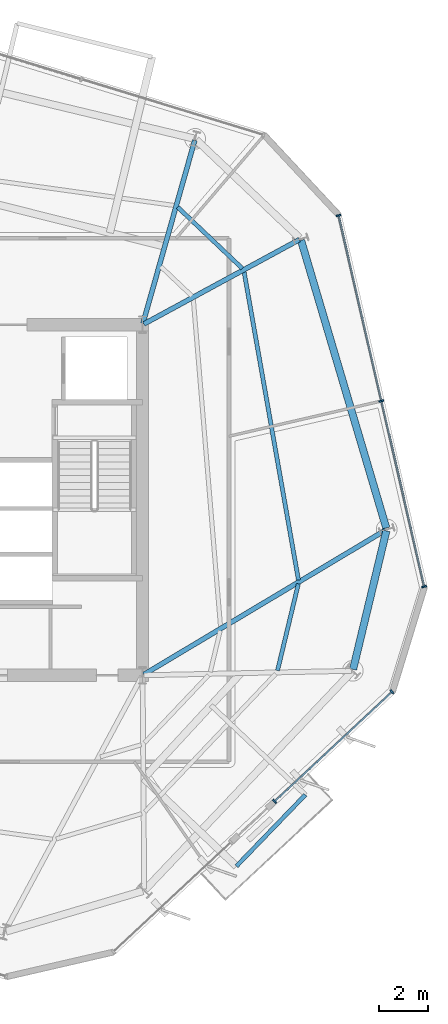
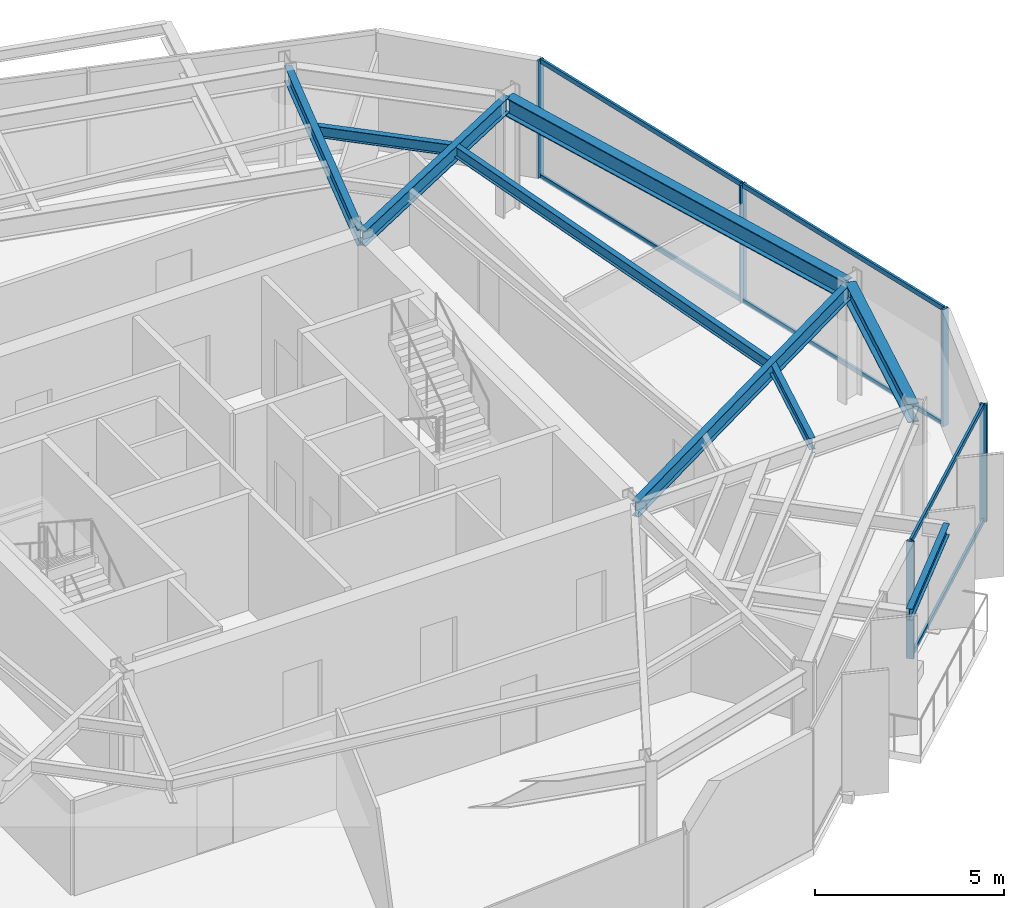
# One storey, part 4 of 11: 11 members, 9 beams, 2 elements without a shape of their own.
"""IFC4 building model written with IfcOpenShell, lengths in metres."""

from ifc_helpers import new_model, si_unit, direction, frame, origin, origin_2d, place, context, subcontext, project, spatial, rectangle, i_section, extrude, material, layer, layer_set, material_profile, profile_set, type_object, element, aggregate, save


model = new_model("IFC4")

# Units and contexts
model_context = context("Model", 3, precision=1e-05, world=origin(), true_north=direction((0.0, 1.0)))
body_context = subcontext(model_context, "Body", "Model", "MODEL_VIEW")
ifc_project = project(units=[si_unit("LENGTHUNIT", "METRE"), si_unit("AREAUNIT", "SQUARE_METRE"), si_unit("VOLUMEUNIT", "CUBIC_METRE"), si_unit("PLANEANGLEUNIT", "RADIAN"), si_unit("MASSUNIT", "GRAM", prefix="KILO")], contexts=[model_context])

# Site, building, storey
site_placement = place(None, origin())
site = spatial("IfcSite", under=ifc_project, at=site_placement, CompositionType="ELEMENT")
building_placement = place(site_placement, origin())
building = spatial("IfcBuilding", under=site, at=building_placement, Name="Kranzbogen Civic Tower", CompositionType="ELEMENT")
storey_placement = place(building_placement, frame((0.0, 0.0, 196.800048828125)))
storey = spatial("IfcBuildingStorey", under=building, at=storey_placement, Name="L47", CompositionType="ELEMENT", Elevation=196.800048828125)

# Curtain wall, members
ifc_material_1 = material(Name="Pale Anodised Aluminium", Category="aluminium")
ifc_layer = layer(ifc_material_1, 0.219970703125, Name="Pale Anodised Aluminium")
ifc_layer_set = layer_set([ifc_layer], Name="Pale Anodised Aluminium")
curtain_wall_type = type_object("IfcCurtainWallType", Name="Zone 3 Stick Curtain Wall System CW-04", PredefinedType="USERDEFINED", material=ifc_layer_set)
curtain_wall_1_placement = place(storey_placement, origin())
curtain_wall_1 = element("IfcCurtainWall", 1, at=curtain_wall_1_placement, inside=storey, type_object=curtain_wall_type, Name="L47 curtain wall CW-L47-F5-S2", ObjectType="STICK CURTAIN WALL", PredefinedType="USERDEFINED")
ifc_material_profile_1 = material_profile(ifc_material_1, rectangle(XDim=0.070068359375, YDim=0.199951171875, at=origin_2d()), Name="ALU-M 70x200")
ifc_profile_set_1 = profile_set([ifc_material_profile_1], Name="Pale Anodised Aluminium")
member_type_1 = type_object("IfcMemberType", Name="Curtain Wall Mullion ALU-M 70x200", PredefinedType="MULLION", material=ifc_profile_set_1)
member_1_placement = place(storey_placement, frame((38.223876953125, 12.62158203125, 0.0), z_axis=(0.0, 0.0, 1.0), x_axis=(0.731320043642, 0.682034452039, 0.0)))
member_1 = element("IfcMember", 2, at=member_1_placement, type_object=member_type_1, Name="CW-04 mullion 1", PredefinedType="MULLION", context=body_context, shape_type="SweptSolid", body=[
    extrude(rectangle(XDim=0.070068359375, YDim=0.199951171875, at=origin_2d()), origin(), (0.0, 0.0, 1.0), 3.780029296875),
])
member_2_placement = place(storey_placement, frame((43.047119140625, 17.11962890625, 0.0), z_axis=(0.0, 0.0, 1.0), x_axis=(0.731320043642, 0.682034452039, 0.0)))
member_2 = element("IfcMember", 3, at=member_2_placement, type_object=member_type_1, Name="CW-04 mullion 2", PredefinedType="MULLION", context=body_context, shape_type="SweptSolid", body=[
    extrude(rectangle(XDim=0.070068359375, YDim=0.199951171875, at=origin_2d()), origin(), (0.0, 0.0, 1.0), 3.780029296875),
])

curtain_wall_2_placement = place(storey_placement, origin())
curtain_wall_2 = element("IfcCurtainWall", 4, at=curtain_wall_2_placement, inside=storey, type_object=curtain_wall_type, Name="L47 curtain wall CW-L47-F6", ObjectType="STICK CURTAIN WALL", PredefinedType="USERDEFINED")
member_3_placement = place(storey_placement, frame((44.3681640625, 21.441162109375, 0.0), z_axis=(0.0, 0.0, 1.0), x_axis=(-0.224971087375, 0.974365439579, 0.0)))
member_3 = element("IfcMember", 5, at=member_3_placement, type_object=member_type_1, Name="CW-04 mullion 1", PredefinedType="MULLION", context=body_context, shape_type="SweptSolid", body=[
    extrude(rectangle(XDim=0.070068359375, YDim=0.199951171875, at=origin_2d()), origin(), (0.0, 0.0, 1.0), 3.780029296875),
])
member_4_placement = place(storey_placement, frame((42.60791015625, 29.06494140625, 0.0), z_axis=(0.0, 0.0, 1.0), x_axis=(-0.224971087375, 0.974365439579, 0.0)))
member_4 = element("IfcMember", 6, at=member_4_placement, type_object=member_type_1, Name="CW-04 mullion 2", PredefinedType="MULLION", context=body_context, shape_type="SweptSolid", body=[
    extrude(rectangle(XDim=0.070068359375, YDim=0.199951171875, at=origin_2d()), origin(), (0.0, 0.0, 1.0), 3.780029296875),
])
member_5_placement = place(storey_placement, frame((40.84765625, 36.688720703125, 0.0), z_axis=(0.0, 0.0, 1.0), x_axis=(-0.224971087375, 0.974365439579, 0.0)))
member_5 = element("IfcMember", 7, at=member_5_placement, type_object=member_type_1, Name="CW-04 mullion 3", PredefinedType="MULLION", context=body_context, shape_type="SweptSolid", body=[
    extrude(rectangle(XDim=0.070068359375, YDim=0.199951171875, at=origin_2d()), origin(), (0.0, 0.0, 1.0), 3.780029296875),
])

# Member
ifc_material_profile_2 = material_profile(ifc_material_1, rectangle(XDim=0.070068359375, YDim=0.14990234375, at=origin_2d()), Name="ALU-T 70x150")
ifc_profile_set_2 = profile_set([ifc_material_profile_2], Name="Pale Anodised Aluminium")
member_type_2 = type_object("IfcMemberType", Name="Curtain Wall Transom ALU-T 70x150", PredefinedType="USERDEFINED", material=ifc_profile_set_2)
member_6_placement = place(storey_placement, frame((38.245849609375, 12.641845703125, 0.030029296875), z_axis=(0.731314855951, 0.682040014563, 0.0), x_axis=(-0.682040014563, 0.731314855951, 0.0)))
member_6 = element("IfcMember", 8, at=member_6_placement, type_object=member_type_2, Name="CW-04 transom 1.1", ObjectType="TRANSOM", PredefinedType="USERDEFINED", context=body_context, shape_type="SweptSolid", body=[
    extrude(rectangle(XDim=0.070068359375, YDim=0.14990234375, at=origin_2d()), origin(), (0.0, 0.0, 1.0), 6.53515625),
])

member_7_placement = place(storey_placement, frame((38.245849609375, 12.641845703125, 3.75), z_axis=(0.731314855951, 0.682040014563, 0.0), x_axis=(-0.682040014563, 0.731314855951, 0.0)))
member_7 = element("IfcMember", 9, at=member_7_placement, type_object=member_type_2, Name="CW-04 transom 1.2", ObjectType="TRANSOM", PredefinedType="USERDEFINED", context=body_context, shape_type="SweptSolid", body=[
    extrude(rectangle(XDim=0.070068359375, YDim=0.14990234375, at=origin_2d()), origin(), (0.0, 0.0, 1.0), 6.53515625),
])

aggregate(curtain_wall_1, [member_1, member_2, member_6, member_7])

member_8_placement = place(storey_placement, frame((44.361572265625, 21.470458984375, 0.030029296875), z_axis=(-0.224976622436, 0.974364161573, 0.0), x_axis=(-0.974364161573, -0.224976622436, 0.0)))
member_8 = element("IfcMember", 10, at=member_8_placement, type_object=member_type_2, Name="CW-04 transom 1.1", ObjectType="TRANSOM", PredefinedType="USERDEFINED", context=body_context, shape_type="SweptSolid", body=[
    extrude(rectangle(XDim=0.070068359375, YDim=0.14990234375, at=origin_2d()), origin(), (0.0, 0.0, 1.0), 7.764404296875),
])

member_9_placement = place(storey_placement, frame((44.361572265625, 21.470458984375, 3.75), z_axis=(-0.224976622436, 0.974364161573, 0.0), x_axis=(-0.974364161573, -0.224976622436, 0.0)))
member_9 = element("IfcMember", 11, at=member_9_placement, type_object=member_type_2, Name="CW-04 transom 1.2", ObjectType="TRANSOM", PredefinedType="USERDEFINED", context=body_context, shape_type="SweptSolid", body=[
    extrude(rectangle(XDim=0.070068359375, YDim=0.14990234375, at=origin_2d()), origin(), (0.0, 0.0, 1.0), 7.764404296875),
])

member_10_placement = place(storey_placement, frame((42.601318359375, 29.09423828125, 0.030029296875), z_axis=(-0.224983515295, 0.974362570015, 0.0), x_axis=(-0.974362570015, -0.224983515295, 0.0)))
member_10 = element("IfcMember", 12, at=member_10_placement, type_object=member_type_2, Name="CW-04 transom 2.1", ObjectType="TRANSOM", PredefinedType="USERDEFINED", context=body_context, shape_type="SweptSolid", body=[
    extrude(rectangle(XDim=0.070068359375, YDim=0.14990234375, at=origin_2d()), origin(), (0.0, 0.0, 1.0), 7.76416015625),
])

member_11_placement = place(storey_placement, frame((42.601318359375, 29.09423828125, 3.75), z_axis=(-0.224983515295, 0.974362570015, 0.0), x_axis=(-0.974362570015, -0.224983515295, 0.0)))
member_11 = element("IfcMember", 13, at=member_11_placement, type_object=member_type_2, Name="CW-04 transom 2.2", ObjectType="TRANSOM", PredefinedType="USERDEFINED", context=body_context, shape_type="SweptSolid", body=[
    extrude(rectangle(XDim=0.070068359375, YDim=0.14990234375, at=origin_2d()), origin(), (0.0, 0.0, 1.0), 7.76416015625),
])

aggregate(curtain_wall_2, [member_3, member_4, member_5, member_8, member_9, member_10, member_11])

# Beams
ifc_material_2 = material(Name="Steel S355", Category="steel")
ifc_material_profile_3 = material_profile(ifc_material_2, i_section(OverallWidth=0.300048828125, OverallDepth=0.60009765625, WebThickness=0.015380859375, FlangeThickness=0.030029296875, at=origin_2d()), Name="HEB 600")
ifc_profile_set_3 = profile_set([ifc_material_profile_3], Name="Steel S355")
beam_type_1 = type_object("IfcBeamType", Name="Perimeter Tube Spandrel Beam HEB 600", PredefinedType="SPANDREL", material=ifc_profile_set_3)
beam_1_placement = place(storey_placement, frame((41.447021484375, 18.0419921875, 3.47998046875), z_axis=(0.233554380434, 0.972343741369, 0.0), x_axis=(-0.972343741369, 0.233554380434, 0.0)))
element("IfcBeam", 14, at=beam_1_placement, inside=storey, type_object=beam_type_1, Name="L47 perimeter spandrel beam 05", PredefinedType="SPANDREL", context=body_context, shape_type="SweptSolid", body=[
    extrude(i_section(OverallWidth=0.300048828125, OverallDepth=0.60009765625, WebThickness=0.015380859375, FlangeThickness=0.030029296875, at=origin_2d()), origin(), (0.0, 0.0, 1.0), 5.852783203125),
])
beam_2_placement = place(storey_placement, frame((42.81103515625, 23.84912109375, 3.47998046875), z_axis=(-0.284064048956, 0.958805306666, 0.0), x_axis=(-0.958805306666, -0.284064048956, 0.0)))
element("IfcBeam", 15, at=beam_2_placement, inside=storey, type_object=beam_type_1, Name="L47 perimeter spandrel beam 06", PredefinedType="SPANDREL", context=body_context, shape_type="SweptSolid", body=[
    extrude(i_section(OverallWidth=0.300048828125, OverallDepth=0.60009765625, WebThickness=0.015380859375, FlangeThickness=0.030029296875, at=origin_2d()), origin(), (0.0, 0.0, 1.0), 12.32470703125),
])
ifc_material_profile_4 = material_profile(ifc_material_2, i_section(OverallWidth=0.199951171875, OverallDepth=0.5, WebThickness=0.01025390625, FlangeThickness=0.01611328125, at=origin_2d()), Name="IPE 500")
ifc_profile_set_4 = profile_set([ifc_material_profile_4], Name="Steel S355")
beam_type_2 = type_object("IfcBeamType", Name="Radial Tower Floor Girder IPE 500", PredefinedType="BEAM", material=ifc_profile_set_4)
beam_3_placement = place(storey_placement, frame((42.77587890625, 23.760009765625, 3.530029296875), z_axis=(-0.858458551809, -0.512882944565, 0.0), x_axis=(0.512882944565, -0.858458551809, 0.0)))
element("IfcBeam", 16, at=beam_3_placement, inside=storey, type_object=beam_type_2, Name="L47 radial floor girder 06", PredefinedType="BEAM", context=body_context, shape_type="SweptSolid", body=[
    extrude(i_section(OverallWidth=0.199951171875, OverallDepth=0.5, WebThickness=0.01025390625, FlangeThickness=0.01611328125, at=origin_2d()), origin(), (0.0, 0.0, 1.0), 11.56005859375),
])
beam_4_placement = place(storey_placement, frame((39.239990234375, 35.695068359375, 3.530029296875), z_axis=(-0.878919430102, -0.476970266777, 0.0), x_axis=(0.476970266777, -0.878919430102, 0.0)))
element("IfcBeam", 17, at=beam_4_placement, inside=storey, type_object=beam_type_2, Name="L47 radial floor girder 07", PredefinedType="BEAM", context=body_context, shape_type="SweptSolid", body=[
    extrude(i_section(OverallWidth=0.199951171875, OverallDepth=0.5, WebThickness=0.01025390625, FlangeThickness=0.01611328125, at=origin_2d()), origin(), (0.0, 0.0, 1.0), 7.266845703125),
])
beam_5_placement = place(storey_placement, frame((34.945068359375, 39.777099609375, 3.530029296875), z_axis=(-0.272455078988, -0.962168503919, 0.0), x_axis=(0.962168503919, -0.272455078988, 0.0)))
element("IfcBeam", 18, at=beam_5_placement, inside=storey, type_object=beam_type_2, Name="L47 radial floor girder 08", PredefinedType="BEAM", context=body_context, shape_type="SweptSolid", body=[
    extrude(i_section(OverallWidth=0.199951171875, OverallDepth=0.5, WebThickness=0.01025390625, FlangeThickness=0.01611328125, at=origin_2d()), origin(), (0.0, 0.0, 1.0), 7.814697265625),
])
ifc_material_profile_5 = material_profile(ifc_material_2, i_section(OverallWidth=0.169921875, OverallDepth=0.360107421875, WebThickness=0.008056640625, FlangeThickness=0.0126953125, at=origin_2d()), Name="IPE 360")
ifc_profile_set_5 = profile_set([ifc_material_profile_5], Name="Steel S355")
beam_type_3 = type_object("IfcBeamType", Name="Secondary Composite Floor Joist IPE 360", PredefinedType="JOIST", material=ifc_profile_set_5)
beam_6_placement = place(storey_placement, frame((38.343994140625, 17.99609375, 3.599853515625), z_axis=(0.233534367714, 0.972348548154, 0.0), x_axis=(-0.972348548154, 0.233534367714, 0.0)))
element("IfcBeam", 19, at=beam_6_placement, inside=storey, type_object=beam_type_3, Name="L47 secondary floor joist 1.05", PredefinedType="JOIST", context=body_context, shape_type="SweptSolid", body=[
    extrude(i_section(OverallWidth=0.169921875, OverallDepth=0.360107421875, WebThickness=0.008056640625, FlangeThickness=0.0126953125, at=origin_2d()), origin(), (0.0, 0.0, 1.0), 3.6611328125),
])
beam_7_placement = place(storey_placement, frame((39.2041015625, 21.712890625, 3.599853515625), z_axis=(-0.173805911364, 0.984779927281, 0.0), x_axis=(-0.984779927281, -0.173805911364, 0.0)))
element("IfcBeam", 20, at=beam_7_placement, inside=storey, type_object=beam_type_3, Name="L47 secondary floor joist 1.06", PredefinedType="JOIST", context=body_context, shape_type="SweptSolid", body=[
    extrude(i_section(OverallWidth=0.169921875, OverallDepth=0.360107421875, WebThickness=0.008056640625, FlangeThickness=0.0126953125, at=origin_2d()), origin(), (0.0, 0.0, 1.0), 12.85986328125),
])
beam_8_placement = place(storey_placement, frame((36.89697265625, 34.510009765625, 3.599853515625), z_axis=(-0.725300648604, 0.688432254572, 0.0), x_axis=(-0.688432254572, -0.725300648604, 0.0)))
element("IfcBeam", 21, at=beam_8_placement, inside=storey, type_object=beam_type_3, Name="L47 secondary floor joist 1.07", PredefinedType="JOIST", context=body_context, shape_type="SweptSolid", body=[
    extrude(i_section(OverallWidth=0.169921875, OverallDepth=0.360107421875, WebThickness=0.008056640625, FlangeThickness=0.0126953125, at=origin_2d()), origin(), (0.0, 0.0, 1.0), 3.661865234375),
])
beam_9_placement = place(storey_placement, frame((36.654052734375, 9.9560546875, 3.570068359375), z_axis=(0.694509001277, 0.719484014517, 0.0), x_axis=(-0.719484014517, 0.694509001277, 0.0)))
element("IfcBeam", 22, at=beam_9_placement, inside=storey, type_object=beam_type_3, Name="L48 terrace outer edge trimmer L48-TB1", PredefinedType="JOIST", context=body_context, shape_type="SweptSolid", body=[
    extrude(i_section(OverallWidth=0.169921875, OverallDepth=0.360107421875, WebThickness=0.008056640625, FlangeThickness=0.0126953125, at=origin_2d()), origin(), (0.0, 0.0, 1.0), 4.076416015625),
])

save(model, "model.ifc")
